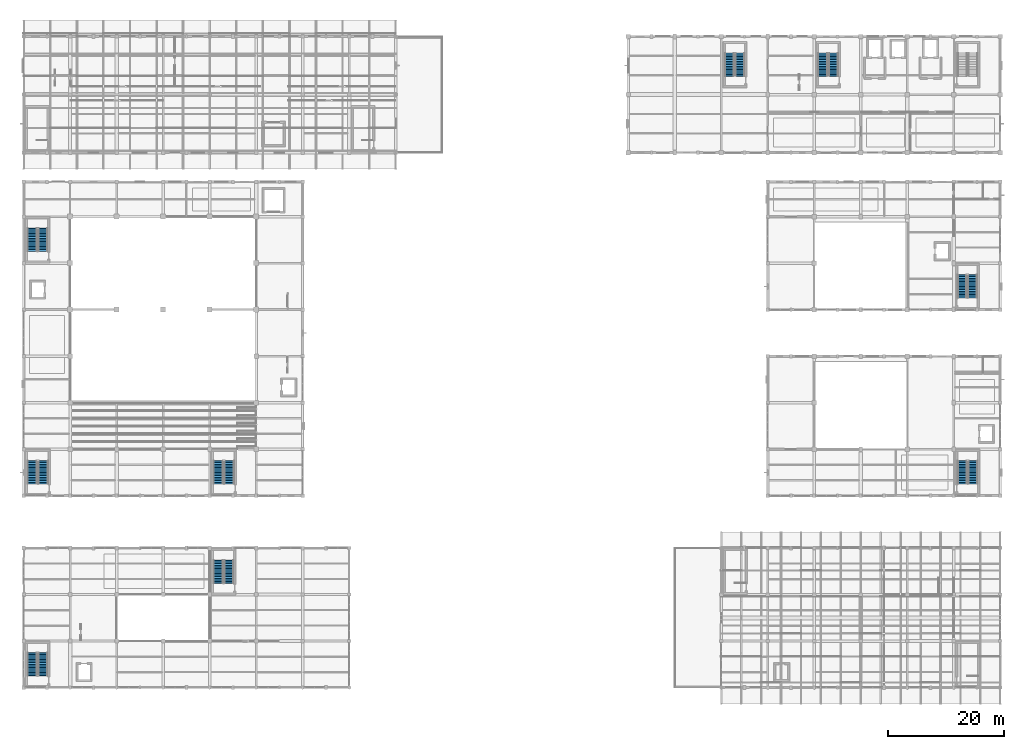
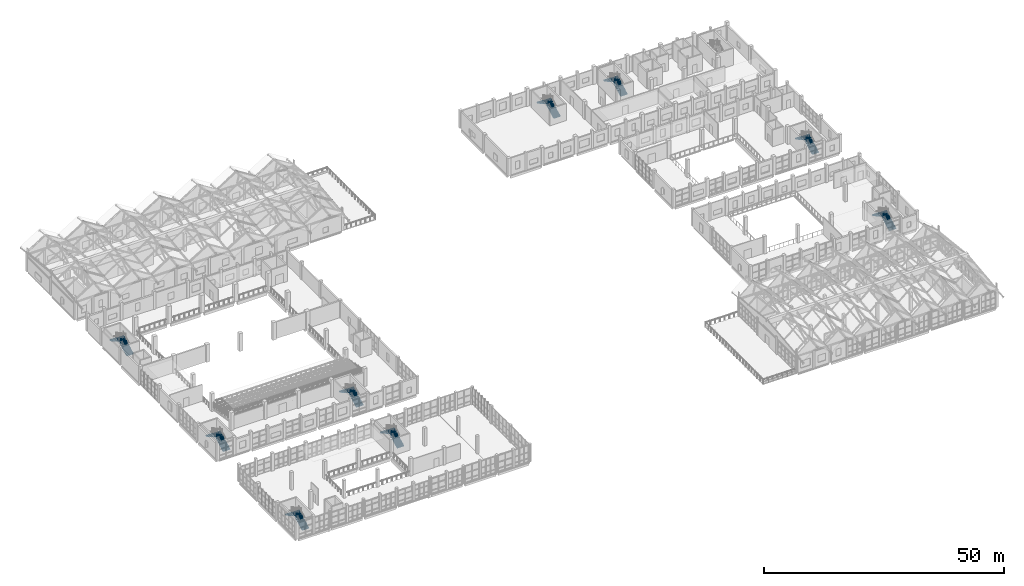
# One storey, part 154 of 183: 18 stair flights, 9 elements without a shape of their own.
"""IFC4 building model written with IfcOpenShell, lengths in metres."""

from ifc_helpers import new_model, si_unit, direction, frame, origin, place, context, subcontext, project, spatial, polyline, outline, extrude, material, type_object, element, aggregate, save


model = new_model("IFC4")

# Units and contexts
model_context = context("Model", 3, precision=1e-05, world=origin(), true_north=direction((0.0, 1.0)))
body_context = subcontext(model_context, "Body", "Model", "MODEL_VIEW")
ifc_project = project(units=[si_unit("LENGTHUNIT", "METRE"), si_unit("AREAUNIT", "SQUARE_METRE"), si_unit("VOLUMEUNIT", "CUBIC_METRE"), si_unit("PLANEANGLEUNIT", "RADIAN"), si_unit("MASSUNIT", "GRAM", prefix="KILO")], contexts=[model_context])

# Site, building, storey
site_placement = place(None, origin())
site = spatial("IfcSite", under=ifc_project, at=site_placement, CompositionType="ELEMENT")
building_placement = place(site_placement, origin())
building = spatial("IfcBuilding", under=site, at=building_placement, Name="Luwemba Playhouse", CompositionType="ELEMENT")
storey_placement = place(building_placement, frame((0.0, 0.0, 4.800048828125)))
storey = spatial("IfcBuildingStorey", under=building, at=storey_placement, Name="L01", CompositionType="ELEMENT", Elevation=4.800048828125)

# Stair, stair flights
ifc_material = material(Name="Concrete C40/50", Category="concrete")
stair_type_1 = type_object("IfcStairType", Name="STR-DL-02", PredefinedType="HALF_TURN_STAIR", material=ifc_material)
stair_1_placement = place(storey_placement, origin())
stair_1 = element("IfcStair", 1, at=stair_1_placement, inside=storey, type_object=stair_type_1, Name="L01 Main Auditorium South-West Escape Stair", PredefinedType="HALF_TURN_STAIR")
stair_flight_type_1 = type_object("IfcStairFlightType", Name="SFL-DL-02", PredefinedType="STRAIGHT", material=ifc_material)
stair_flight_1_placement = place(storey_placement, frame((7.39990234375, 38.0400390625, 0.0), z_axis=(0.0, 0.0, 1.0), x_axis=(0.0, 1.0, 0.0)))
stair_flight_1 = element("IfcStairFlight", 2, at=stair_flight_1_placement, type_object=stair_flight_type_1, Name="ST-01 flight 1", NumberOfRisers=15, NumberOfTreads=14, PredefinedType="STRAIGHT", RiserHeight=0.15, TreadLength=0.28, context=body_context, shape_type="SweptSolid", body=[
    extrude(outline(polyline([(-0.06005859375, -0.10009765625), (-0.06005859375, 0.0), (0.0, 0.0), (0.0, 0.14990234375), (0.280029296875, 0.14990234375), (0.280029296875, 0.300048828125), (0.56005859375, 0.300048828125), (0.56005859375, 0.449951171875), (0.840087890625, 0.449951171875), (0.840087890625, 0.60009765625), (1.1201171875, 0.60009765625), (1.1201171875, 0.75), (1.39990234375, 0.75), (1.39990234375, 0.89990234375), (1.679931640625, 0.89990234375), (1.679931640625, 1.050048828125), (1.9599609375, 1.050048828125), (1.9599609375, 1.199951171875), (2.239990234375, 1.199951171875), (2.239990234375, 1.35009765625), (2.52001953125, 1.35009765625), (2.52001953125, 1.5), (2.800048828125, 1.5), (2.800048828125, 1.64990234375), (3.080078125, 1.64990234375), (3.080078125, 1.800048828125), (3.360107421875, 1.800048828125), (3.360107421875, 1.949951171875), (3.639892578125, 1.949951171875), (3.639892578125, 2.10009765625), (3.919921875, 2.10009765625), (3.919921875, 2.25), (3.97998046875, 2.25), (3.97998046875, 2.090087890625), (3.919921875, 1.929931640625), (0.3173828125, -0.10009765625), (-0.06005859375, -0.10009765625)])), frame((0.0, 0.85009765625, 0.0), z_axis=(0.0, -1.0, 0.0), x_axis=(1.0, 0.0, 0.0)), (0.0, 0.0, 1.0), 1.699951171875),
])
stair_flight_2_placement = place(storey_placement, frame((5.5, 41.9599609375, 2.25), z_axis=(0.0, 0.0, 1.0), x_axis=(0.0, -1.0, 0.0)))
stair_flight_2 = element("IfcStairFlight", 3, at=stair_flight_2_placement, type_object=stair_flight_type_1, Name="ST-01 flight 2", NumberOfRisers=15, NumberOfTreads=14, PredefinedType="STRAIGHT", RiserHeight=0.15, TreadLength=0.28, context=body_context, shape_type="SweptSolid", body=[
    extrude(outline(polyline([(-0.06005859375, -0.10009765625), (-0.06005859375, 0.0), (0.0, 0.0), (0.0, 0.14990234375), (0.280029296875, 0.14990234375), (0.280029296875, 0.300048828125), (0.56005859375, 0.300048828125), (0.56005859375, 0.449951171875), (0.840087890625, 0.449951171875), (0.840087890625, 0.60009765625), (1.1201171875, 0.60009765625), (1.1201171875, 0.75), (1.39990234375, 0.75), (1.39990234375, 0.89990234375), (1.679931640625, 0.89990234375), (1.679931640625, 1.050048828125), (1.9599609375, 1.050048828125), (1.9599609375, 1.199951171875), (2.239990234375, 1.199951171875), (2.239990234375, 1.35009765625), (2.52001953125, 1.35009765625), (2.52001953125, 1.5), (2.800048828125, 1.5), (2.800048828125, 1.64990234375), (3.080078125, 1.64990234375), (3.080078125, 1.800048828125), (3.360107421875, 1.800048828125), (3.360107421875, 1.949951171875), (3.639892578125, 1.949951171875), (3.639892578125, 2.10009765625), (3.919921875, 2.10009765625), (3.919921875, 2.25), (3.97998046875, 2.25), (3.97998046875, 2.090087890625), (3.919921875, 1.929931640625), (0.3173828125, -0.10009765625), (-0.06005859375, -0.10009765625)])), frame((0.0, 0.85009765625, 0.0), z_axis=(0.0, -1.0, 0.0), x_axis=(1.0, 0.0, 0.0)), (0.0, 0.0, 1.0), 1.699951171875),
])
aggregate(stair_1, [stair_flight_1, stair_flight_2])

stair_2_placement = place(storey_placement, origin())
stair_2 = element("IfcStair", 4, at=stair_2_placement, inside=storey, type_object=stair_type_1, Name="L01 Main Auditorium South-East Escape Stair", PredefinedType="HALF_TURN_STAIR")
stair_flight_3_placement = place(storey_placement, frame((39.39990234375, 38.0400390625, 0.0), z_axis=(0.0, 0.0, 1.0), x_axis=(0.0, 1.0, 0.0)))
stair_flight_3 = element("IfcStairFlight", 5, at=stair_flight_3_placement, type_object=stair_flight_type_1, Name="ST-02 flight 1", NumberOfRisers=15, NumberOfTreads=14, PredefinedType="STRAIGHT", RiserHeight=0.15, TreadLength=0.28, context=body_context, shape_type="SweptSolid", body=[
    extrude(outline(polyline([(-0.06005859375, -0.10009765625), (-0.06005859375, 0.0), (0.0, 0.0), (0.0, 0.14990234375), (0.280029296875, 0.14990234375), (0.280029296875, 0.300048828125), (0.56005859375, 0.300048828125), (0.56005859375, 0.449951171875), (0.840087890625, 0.449951171875), (0.840087890625, 0.60009765625), (1.1201171875, 0.60009765625), (1.1201171875, 0.75), (1.39990234375, 0.75), (1.39990234375, 0.89990234375), (1.679931640625, 0.89990234375), (1.679931640625, 1.050048828125), (1.9599609375, 1.050048828125), (1.9599609375, 1.199951171875), (2.239990234375, 1.199951171875), (2.239990234375, 1.35009765625), (2.52001953125, 1.35009765625), (2.52001953125, 1.5), (2.800048828125, 1.5), (2.800048828125, 1.64990234375), (3.080078125, 1.64990234375), (3.080078125, 1.800048828125), (3.360107421875, 1.800048828125), (3.360107421875, 1.949951171875), (3.639892578125, 1.949951171875), (3.639892578125, 2.10009765625), (3.919921875, 2.10009765625), (3.919921875, 2.25), (3.97998046875, 2.25), (3.97998046875, 2.090087890625), (3.919921875, 1.929931640625), (0.3173828125, -0.10009765625), (-0.06005859375, -0.10009765625)])), frame((0.0, 0.85009765625, 0.0), z_axis=(0.0, -1.0, 0.0), x_axis=(1.0, 0.0, 0.0)), (0.0, 0.0, 1.0), 1.699951171875),
])
stair_flight_4_placement = place(storey_placement, frame((37.5, 41.9599609375, 2.25), z_axis=(0.0, 0.0, 1.0), x_axis=(0.0, -1.0, 0.0)))
stair_flight_4 = element("IfcStairFlight", 6, at=stair_flight_4_placement, type_object=stair_flight_type_1, Name="ST-02 flight 2", NumberOfRisers=15, NumberOfTreads=14, PredefinedType="STRAIGHT", RiserHeight=0.15, TreadLength=0.28, context=body_context, shape_type="SweptSolid", body=[
    extrude(outline(polyline([(-0.06005859375, -0.10009765625), (-0.06005859375, 0.0), (0.0, 0.0), (0.0, 0.14990234375), (0.280029296875, 0.14990234375), (0.280029296875, 0.300048828125), (0.56005859375, 0.300048828125), (0.56005859375, 0.449951171875), (0.840087890625, 0.449951171875), (0.840087890625, 0.60009765625), (1.1201171875, 0.60009765625), (1.1201171875, 0.75), (1.39990234375, 0.75), (1.39990234375, 0.89990234375), (1.679931640625, 0.89990234375), (1.679931640625, 1.050048828125), (1.9599609375, 1.050048828125), (1.9599609375, 1.199951171875), (2.239990234375, 1.199951171875), (2.239990234375, 1.35009765625), (2.52001953125, 1.35009765625), (2.52001953125, 1.5), (2.800048828125, 1.5), (2.800048828125, 1.64990234375), (3.080078125, 1.64990234375), (3.080078125, 1.800048828125), (3.360107421875, 1.800048828125), (3.360107421875, 1.949951171875), (3.639892578125, 1.949951171875), (3.639892578125, 2.10009765625), (3.919921875, 2.10009765625), (3.919921875, 2.25), (3.97998046875, 2.25), (3.97998046875, 2.090087890625), (3.919921875, 1.929931640625), (0.3173828125, -0.10009765625), (-0.06005859375, -0.10009765625)])), frame((0.0, 0.85009765625, 0.0), z_axis=(0.0, -1.0, 0.0), x_axis=(1.0, 0.0, 0.0)), (0.0, 0.0, 1.0), 1.699951171875),
])
aggregate(stair_2, [stair_flight_3, stair_flight_4])

stair_type_2 = type_object("IfcStairType", Name="STR-DL-04", PredefinedType="HALF_TURN_STAIR", material=ifc_material)
stair_3_placement = place(storey_placement, origin())
stair_3 = element("IfcStair", 7, at=stair_3_placement, inside=storey, type_object=stair_type_2, Name="L01 Stage House West Escape Stair", PredefinedType="HALF_TURN_STAIR")
stair_flight_type_2 = type_object("IfcStairFlightType", Name="SFL-DL-04", PredefinedType="STRAIGHT", material=ifc_material)
stair_flight_5_placement = place(storey_placement, frame((7.324951171875, 78.0400390625, 0.0), z_axis=(0.0, 0.0, 1.0), x_axis=(0.0, 1.0, 0.0)))
stair_flight_5 = element("IfcStairFlight", 8, at=stair_flight_5_placement, type_object=stair_flight_type_2, Name="ST-03 flight 1", NumberOfRisers=15, NumberOfTreads=14, PredefinedType="STRAIGHT", RiserHeight=0.15, TreadLength=0.28, context=body_context, shape_type="SweptSolid", body=[
    extrude(outline(polyline([(-0.06005859375, -0.10009765625), (-0.06005859375, 0.0), (0.0, 0.0), (0.0, 0.14990234375), (0.280029296875, 0.14990234375), (0.280029296875, 0.300048828125), (0.56005859375, 0.300048828125), (0.56005859375, 0.449951171875), (0.840087890625, 0.449951171875), (0.840087890625, 0.60009765625), (1.1201171875, 0.60009765625), (1.1201171875, 0.75), (1.39990234375, 0.75), (1.39990234375, 0.89990234375), (1.679931640625, 0.89990234375), (1.679931640625, 1.050048828125), (1.9599609375, 1.050048828125), (1.9599609375, 1.199951171875), (2.239990234375, 1.199951171875), (2.239990234375, 1.35009765625), (2.52001953125, 1.35009765625), (2.52001953125, 1.5), (2.800048828125, 1.5), (2.800048828125, 1.64990234375), (3.080078125, 1.64990234375), (3.080078125, 1.800048828125), (3.360107421875, 1.800048828125), (3.360107421875, 1.949951171875), (3.639892578125, 1.949951171875), (3.639892578125, 2.10009765625), (3.919921875, 2.10009765625), (3.919921875, 2.25), (3.97998046875, 2.25), (3.97998046875, 2.090087890625), (3.919921875, 1.929931640625), (0.3173828125, -0.10009765625), (-0.06005859375, -0.10009765625)])), frame((0.0, 0.824951171875, 0.0), z_axis=(0.0, -1.0, 0.0), x_axis=(1.0, 0.0, 0.0)), (0.0, 0.0, 1.0), 1.64990234375),
])
stair_flight_6_placement = place(storey_placement, frame((5.47509765625, 81.9599609375, 2.25), z_axis=(0.0, 0.0, 1.0), x_axis=(0.0, -1.0, 0.0)))
stair_flight_6 = element("IfcStairFlight", 9, at=stair_flight_6_placement, type_object=stair_flight_type_2, Name="ST-03 flight 2", NumberOfRisers=15, NumberOfTreads=14, PredefinedType="STRAIGHT", RiserHeight=0.15, TreadLength=0.28, context=body_context, shape_type="SweptSolid", body=[
    extrude(outline(polyline([(-0.06005859375, -0.10009765625), (-0.06005859375, 0.0), (0.0, 0.0), (0.0, 0.14990234375), (0.280029296875, 0.14990234375), (0.280029296875, 0.300048828125), (0.56005859375, 0.300048828125), (0.56005859375, 0.449951171875), (0.840087890625, 0.449951171875), (0.840087890625, 0.60009765625), (1.1201171875, 0.60009765625), (1.1201171875, 0.75), (1.39990234375, 0.75), (1.39990234375, 0.89990234375), (1.679931640625, 0.89990234375), (1.679931640625, 1.050048828125), (1.9599609375, 1.050048828125), (1.9599609375, 1.199951171875), (2.239990234375, 1.199951171875), (2.239990234375, 1.35009765625), (2.52001953125, 1.35009765625), (2.52001953125, 1.5), (2.800048828125, 1.5), (2.800048828125, 1.64990234375), (3.080078125, 1.64990234375), (3.080078125, 1.800048828125), (3.360107421875, 1.800048828125), (3.360107421875, 1.949951171875), (3.639892578125, 1.949951171875), (3.639892578125, 2.10009765625), (3.919921875, 2.10009765625), (3.919921875, 2.25), (3.97998046875, 2.25), (3.97998046875, 2.090087890625), (3.919921875, 1.929931640625), (0.3173828125, -0.10009765625), (-0.06005859375, -0.10009765625)])), frame((0.0, 0.824951171875, 0.0), z_axis=(0.0, -1.0, 0.0), x_axis=(1.0, 0.0, 0.0)), (0.0, 0.0, 1.0), 1.64990234375),
])
aggregate(stair_3, [stair_flight_5, stair_flight_6])

stair_4_placement = place(storey_placement, origin())
stair_4 = element("IfcStair", 10, at=stair_4_placement, inside=storey, type_object=stair_type_2, Name="L01 Grand Foyer South-West Escape Stair", PredefinedType="HALF_TURN_STAIR")
stair_flight_7_placement = place(storey_placement, frame((7.324951171875, 5.0400390625, 0.0), z_axis=(0.0, 0.0, 1.0), x_axis=(0.0, 1.0, 0.0)))
stair_flight_7 = element("IfcStairFlight", 11, at=stair_flight_7_placement, type_object=stair_flight_type_2, Name="ST-04 flight 1", NumberOfRisers=15, NumberOfTreads=14, PredefinedType="STRAIGHT", RiserHeight=0.15, TreadLength=0.28, context=body_context, shape_type="SweptSolid", body=[
    extrude(outline(polyline([(-0.06005859375, -0.10009765625), (-0.06005859375, 0.0), (0.0, 0.0), (0.0, 0.14990234375), (0.280029296875, 0.14990234375), (0.280029296875, 0.300048828125), (0.56005859375, 0.300048828125), (0.56005859375, 0.449951171875), (0.840087890625, 0.449951171875), (0.840087890625, 0.60009765625), (1.1201171875, 0.60009765625), (1.1201171875, 0.75), (1.39990234375, 0.75), (1.39990234375, 0.89990234375), (1.679931640625, 0.89990234375), (1.679931640625, 1.050048828125), (1.9599609375, 1.050048828125), (1.9599609375, 1.199951171875), (2.239990234375, 1.199951171875), (2.239990234375, 1.35009765625), (2.52001953125, 1.35009765625), (2.52001953125, 1.5), (2.800048828125, 1.5), (2.800048828125, 1.64990234375), (3.080078125, 1.64990234375), (3.080078125, 1.800048828125), (3.360107421875, 1.800048828125), (3.360107421875, 1.949951171875), (3.639892578125, 1.949951171875), (3.639892578125, 2.10009765625), (3.919921875, 2.10009765625), (3.919921875, 2.25), (3.97998046875, 2.25), (3.97998046875, 2.090087890625), (3.919921875, 1.929931640625), (0.3173828125, -0.10009765625), (-0.06005859375, -0.10009765625)])), frame((0.0, 0.824951171875, 0.0), z_axis=(0.0, -1.0, 0.0), x_axis=(1.0, 0.0, 0.0)), (0.0, 0.0, 1.0), 1.64990234375),
])
stair_flight_8_placement = place(storey_placement, frame((5.47509765625, 8.9599609375, 2.25), z_axis=(0.0, 0.0, 1.0), x_axis=(0.0, -1.0, 0.0)))
stair_flight_8 = element("IfcStairFlight", 12, at=stair_flight_8_placement, type_object=stair_flight_type_2, Name="ST-04 flight 2", NumberOfRisers=15, NumberOfTreads=14, PredefinedType="STRAIGHT", RiserHeight=0.15, TreadLength=0.28, context=body_context, shape_type="SweptSolid", body=[
    extrude(outline(polyline([(-0.06005859375, -0.10009765625), (-0.06005859375, 0.0), (0.0, 0.0), (0.0, 0.14990234375), (0.280029296875, 0.14990234375), (0.280029296875, 0.300048828125), (0.56005859375, 0.300048828125), (0.56005859375, 0.449951171875), (0.840087890625, 0.449951171875), (0.840087890625, 0.60009765625), (1.1201171875, 0.60009765625), (1.1201171875, 0.75), (1.39990234375, 0.75), (1.39990234375, 0.89990234375), (1.679931640625, 0.89990234375), (1.679931640625, 1.050048828125), (1.9599609375, 1.050048828125), (1.9599609375, 1.199951171875), (2.239990234375, 1.199951171875), (2.239990234375, 1.35009765625), (2.52001953125, 1.35009765625), (2.52001953125, 1.5), (2.800048828125, 1.5), (2.800048828125, 1.64990234375), (3.080078125, 1.64990234375), (3.080078125, 1.800048828125), (3.360107421875, 1.800048828125), (3.360107421875, 1.949951171875), (3.639892578125, 1.949951171875), (3.639892578125, 2.10009765625), (3.919921875, 2.10009765625), (3.919921875, 2.25), (3.97998046875, 2.25), (3.97998046875, 2.090087890625), (3.919921875, 1.929931640625), (0.3173828125, -0.10009765625), (-0.06005859375, -0.10009765625)])), frame((0.0, 0.824951171875, 0.0), z_axis=(0.0, -1.0, 0.0), x_axis=(1.0, 0.0, 0.0)), (0.0, 0.0, 1.0), 1.64990234375),
])
aggregate(stair_4, [stair_flight_7, stair_flight_8])

stair_5_placement = place(storey_placement, origin())
stair_5 = element("IfcStair", 13, at=stair_5_placement, inside=storey, type_object=stair_type_2, Name="L01 Studio Theatre South-East Escape Stair", PredefinedType="HALF_TURN_STAIR")
stair_flight_9_placement = place(storey_placement, frame((167.324951171875, 38.0400390625, 0.0), z_axis=(0.0, 0.0, 1.0), x_axis=(0.0, 1.0, 0.0)))
stair_flight_9 = element("IfcStairFlight", 14, at=stair_flight_9_placement, type_object=stair_flight_type_2, Name="ST-06 flight 1", NumberOfRisers=15, NumberOfTreads=14, PredefinedType="STRAIGHT", RiserHeight=0.15, TreadLength=0.28, context=body_context, shape_type="SweptSolid", body=[
    extrude(outline(polyline([(-0.06005859375, -0.10009765625), (-0.06005859375, 0.0), (0.0, 0.0), (0.0, 0.14990234375), (0.280029296875, 0.14990234375), (0.280029296875, 0.300048828125), (0.56005859375, 0.300048828125), (0.56005859375, 0.449951171875), (0.840087890625, 0.449951171875), (0.840087890625, 0.60009765625), (1.1201171875, 0.60009765625), (1.1201171875, 0.75), (1.39990234375, 0.75), (1.39990234375, 0.89990234375), (1.679931640625, 0.89990234375), (1.679931640625, 1.050048828125), (1.9599609375, 1.050048828125), (1.9599609375, 1.199951171875), (2.239990234375, 1.199951171875), (2.239990234375, 1.35009765625), (2.52001953125, 1.35009765625), (2.52001953125, 1.5), (2.800048828125, 1.5), (2.800048828125, 1.64990234375), (3.080078125, 1.64990234375), (3.080078125, 1.800048828125), (3.360107421875, 1.800048828125), (3.360107421875, 1.949951171875), (3.639892578125, 1.949951171875), (3.639892578125, 2.10009765625), (3.919921875, 2.10009765625), (3.919921875, 2.25), (3.97998046875, 2.25), (3.97998046875, 2.090087890625), (3.919921875, 1.929931640625), (0.3173828125, -0.10009765625), (-0.06005859375, -0.10009765625)])), frame((0.0, 0.824951171875, 0.0), z_axis=(0.0, -1.0, 0.0), x_axis=(1.0, 0.0, 0.0)), (0.0, 0.0, 1.0), 1.64990234375),
])
stair_flight_10_placement = place(storey_placement, frame((165.47509765625, 41.9599609375, 2.25), z_axis=(0.0, 0.0, 1.0), x_axis=(0.0, -1.0, 0.0)))
stair_flight_10 = element("IfcStairFlight", 15, at=stair_flight_10_placement, type_object=stair_flight_type_2, Name="ST-06 flight 2", NumberOfRisers=15, NumberOfTreads=14, PredefinedType="STRAIGHT", RiserHeight=0.15, TreadLength=0.28, context=body_context, shape_type="SweptSolid", body=[
    extrude(outline(polyline([(-0.06005859375, -0.10009765625), (-0.06005859375, 0.0), (0.0, 0.0), (0.0, 0.14990234375), (0.280029296875, 0.14990234375), (0.280029296875, 0.300048828125), (0.56005859375, 0.300048828125), (0.56005859375, 0.449951171875), (0.840087890625, 0.449951171875), (0.840087890625, 0.60009765625), (1.1201171875, 0.60009765625), (1.1201171875, 0.75), (1.39990234375, 0.75), (1.39990234375, 0.89990234375), (1.679931640625, 0.89990234375), (1.679931640625, 1.050048828125), (1.9599609375, 1.050048828125), (1.9599609375, 1.199951171875), (2.239990234375, 1.199951171875), (2.239990234375, 1.35009765625), (2.52001953125, 1.35009765625), (2.52001953125, 1.5), (2.800048828125, 1.5), (2.800048828125, 1.64990234375), (3.080078125, 1.64990234375), (3.080078125, 1.800048828125), (3.360107421875, 1.800048828125), (3.360107421875, 1.949951171875), (3.639892578125, 1.949951171875), (3.639892578125, 2.10009765625), (3.919921875, 2.10009765625), (3.919921875, 2.25), (3.97998046875, 2.25), (3.97998046875, 2.090087890625), (3.919921875, 1.929931640625), (0.3173828125, -0.10009765625), (-0.06005859375, -0.10009765625)])), frame((0.0, 0.824951171875, 0.0), z_axis=(0.0, -1.0, 0.0), x_axis=(1.0, 0.0, 0.0)), (0.0, 0.0, 1.0), 1.64990234375),
])
aggregate(stair_5, [stair_flight_9, stair_flight_10])

stair_6_placement = place(storey_placement, origin())
stair_6 = element("IfcStair", 16, at=stair_6_placement, inside=storey, type_object=stair_type_2, Name="L01 Conservatory Firefighting Escape Stair", PredefinedType="HALF_TURN_STAIR")
stair_flight_11_placement = place(storey_placement, frame((143.324951171875, 108.199951171875, 0.0), z_axis=(0.0, 0.0, 1.0), x_axis=(0.0, 1.0, 0.0)))
stair_flight_11 = element("IfcStairFlight", 17, at=stair_flight_11_placement, type_object=stair_flight_type_2, Name="ST-09 flight 1", NumberOfRisers=15, NumberOfTreads=14, PredefinedType="STRAIGHT", RiserHeight=0.15, TreadLength=0.28, context=body_context, shape_type="SweptSolid", body=[
    extrude(outline(polyline([(-0.06005859375, -0.10009765625), (-0.06005859375, 0.0), (0.0, 0.0), (0.0, 0.14990234375), (0.280029296875, 0.14990234375), (0.280029296875, 0.300048828125), (0.56005859375, 0.300048828125), (0.56005859375, 0.449951171875), (0.840087890625, 0.449951171875), (0.840087890625, 0.60009765625), (1.1201171875, 0.60009765625), (1.1201171875, 0.75), (1.39990234375, 0.75), (1.39990234375, 0.89990234375), (1.679931640625, 0.89990234375), (1.679931640625, 1.050048828125), (1.9599609375, 1.050048828125), (1.9599609375, 1.199951171875), (2.239990234375, 1.199951171875), (2.239990234375, 1.35009765625), (2.52001953125, 1.35009765625), (2.52001953125, 1.5), (2.800048828125, 1.5), (2.800048828125, 1.64990234375), (3.080078125, 1.64990234375), (3.080078125, 1.800048828125), (3.360107421875, 1.800048828125), (3.360107421875, 1.949951171875), (3.639892578125, 1.949951171875), (3.639892578125, 2.10009765625), (3.919921875, 2.10009765625), (3.919921875, 2.25), (3.97998046875, 2.25), (3.97998046875, 2.090087890625), (3.919921875, 1.929931640625), (0.3173828125, -0.10009765625), (-0.06005859375, -0.10009765625)])), frame((0.0, 0.824951171875, 0.0), z_axis=(0.0, -1.0, 0.0), x_axis=(1.0, 0.0, 0.0)), (0.0, 0.0, 1.0), 1.64990234375),
])
stair_flight_12_placement = place(storey_placement, frame((141.47509765625, 112.1201171875, 2.25), z_axis=(0.0, 0.0, 1.0), x_axis=(0.0, -1.0, 0.0)))
stair_flight_12 = element("IfcStairFlight", 18, at=stair_flight_12_placement, type_object=stair_flight_type_2, Name="ST-09 flight 2", NumberOfRisers=15, NumberOfTreads=14, PredefinedType="STRAIGHT", RiserHeight=0.15, TreadLength=0.28, context=body_context, shape_type="SweptSolid", body=[
    extrude(outline(polyline([(-0.06005859375, -0.10009765625), (-0.06005859375, 0.0), (0.0, 0.0), (0.0, 0.14990234375), (0.280029296875, 0.14990234375), (0.280029296875, 0.300048828125), (0.56005859375, 0.300048828125), (0.56005859375, 0.449951171875), (0.840087890625, 0.449951171875), (0.840087890625, 0.60009765625), (1.1201171875, 0.60009765625), (1.1201171875, 0.75), (1.39990234375, 0.75), (1.39990234375, 0.89990234375), (1.679931640625, 0.89990234375), (1.679931640625, 1.050048828125), (1.9599609375, 1.050048828125), (1.9599609375, 1.199951171875), (2.239990234375, 1.199951171875), (2.239990234375, 1.35009765625), (2.52001953125, 1.35009765625), (2.52001953125, 1.5), (2.800048828125, 1.5), (2.800048828125, 1.64990234375), (3.080078125, 1.64990234375), (3.080078125, 1.800048828125), (3.360107421875, 1.800048828125), (3.360107421875, 1.949951171875), (3.639892578125, 1.949951171875), (3.639892578125, 2.10009765625), (3.919921875, 2.10009765625), (3.919921875, 2.25), (3.97998046875, 2.25), (3.97998046875, 2.090087890625), (3.919921875, 1.929931640625), (0.3173828125, -0.10009765625), (-0.06005859375, -0.10009765625)])), frame((0.0, 0.824951171875, 0.0), z_axis=(0.0, -1.0, 0.0), x_axis=(1.0, 0.0, 0.0)), (0.0, 0.0, 1.0), 1.64990234375),
])
aggregate(stair_6, [stair_flight_11, stair_flight_12])

stair_7_placement = place(storey_placement, origin())
stair_7 = element("IfcStair", 19, at=stair_7_placement, inside=storey, type_object=stair_type_2, Name="L01 Grand Foyer North-East Escape Stair", PredefinedType="HALF_TURN_STAIR")
stair_flight_13_placement = place(storey_placement, frame((39.324951171875, 20.9599609375, 0.0), z_axis=(0.0, 0.0, 1.0), x_axis=(0.0, 1.0, 0.0)))
stair_flight_13 = element("IfcStairFlight", 20, at=stair_flight_13_placement, type_object=stair_flight_type_2, Name="ST-13 flight 1", NumberOfRisers=15, NumberOfTreads=14, PredefinedType="STRAIGHT", RiserHeight=0.15, TreadLength=0.28, context=body_context, shape_type="SweptSolid", body=[
    extrude(outline(polyline([(-0.06005859375, -0.10009765625), (-0.06005859375, 0.0), (0.0, 0.0), (0.0, 0.14990234375), (0.280029296875, 0.14990234375), (0.280029296875, 0.300048828125), (0.56005859375, 0.300048828125), (0.56005859375, 0.449951171875), (0.840087890625, 0.449951171875), (0.840087890625, 0.60009765625), (1.1201171875, 0.60009765625), (1.1201171875, 0.75), (1.39990234375, 0.75), (1.39990234375, 0.89990234375), (1.679931640625, 0.89990234375), (1.679931640625, 1.050048828125), (1.9599609375, 1.050048828125), (1.9599609375, 1.199951171875), (2.239990234375, 1.199951171875), (2.239990234375, 1.35009765625), (2.52001953125, 1.35009765625), (2.52001953125, 1.5), (2.800048828125, 1.5), (2.800048828125, 1.64990234375), (3.080078125, 1.64990234375), (3.080078125, 1.800048828125), (3.360107421875, 1.800048828125), (3.360107421875, 1.949951171875), (3.639892578125, 1.949951171875), (3.639892578125, 2.10009765625), (3.919921875, 2.10009765625), (3.919921875, 2.25), (3.97998046875, 2.25), (3.97998046875, 2.090087890625), (3.919921875, 1.929931640625), (0.3173828125, -0.10009765625), (-0.06005859375, -0.10009765625)])), frame((0.0, 0.824951171875, 0.0), z_axis=(0.0, -1.0, 0.0), x_axis=(1.0, 0.0, 0.0)), (0.0, 0.0, 1.0), 1.64990234375),
])
stair_flight_14_placement = place(storey_placement, frame((37.47509765625, 24.8798828125, 2.25), z_axis=(0.0, 0.0, 1.0), x_axis=(0.0, -1.0, 0.0)))
stair_flight_14 = element("IfcStairFlight", 21, at=stair_flight_14_placement, type_object=stair_flight_type_2, Name="ST-13 flight 2", NumberOfRisers=15, NumberOfTreads=14, PredefinedType="STRAIGHT", RiserHeight=0.15, TreadLength=0.28, context=body_context, shape_type="SweptSolid", body=[
    extrude(outline(polyline([(-0.06005859375, -0.10009765625), (-0.06005859375, 0.0), (0.0, 0.0), (0.0, 0.14990234375), (0.280029296875, 0.14990234375), (0.280029296875, 0.300048828125), (0.56005859375, 0.300048828125), (0.56005859375, 0.449951171875), (0.840087890625, 0.449951171875), (0.840087890625, 0.60009765625), (1.1201171875, 0.60009765625), (1.1201171875, 0.75), (1.39990234375, 0.75), (1.39990234375, 0.89990234375), (1.679931640625, 0.89990234375), (1.679931640625, 1.050048828125), (1.9599609375, 1.050048828125), (1.9599609375, 1.199951171875), (2.239990234375, 1.199951171875), (2.239990234375, 1.35009765625), (2.52001953125, 1.35009765625), (2.52001953125, 1.5), (2.800048828125, 1.5), (2.800048828125, 1.64990234375), (3.080078125, 1.64990234375), (3.080078125, 1.800048828125), (3.360107421875, 1.800048828125), (3.360107421875, 1.949951171875), (3.639892578125, 1.949951171875), (3.639892578125, 2.10009765625), (3.919921875, 2.10009765625), (3.919921875, 2.25), (3.97998046875, 2.25), (3.97998046875, 2.090087890625), (3.919921875, 1.929931640625), (0.3173828125, -0.10009765625), (-0.06005859375, -0.10009765625)])), frame((0.0, 0.824951171875, 0.0), z_axis=(0.0, -1.0, 0.0), x_axis=(1.0, 0.0, 0.0)), (0.0, 0.0, 1.0), 1.64990234375),
])
aggregate(stair_7, [stair_flight_13, stair_flight_14])

stair_type_3 = type_object("IfcStairType", Name="STR-DL-06", PredefinedType="HALF_TURN_STAIR", material=ifc_material)
stair_8_placement = place(storey_placement, origin())
stair_8 = element("IfcStair", 22, at=stair_8_placement, inside=storey, type_object=stair_type_3, Name="L01 Black-Box Firefighting Escape Stair", PredefinedType="HALF_TURN_STAIR")
stair_flight_type_3 = type_object("IfcStairFlightType", Name="SFL-DL-06", PredefinedType="STRAIGHT", material=ifc_material)
stair_flight_15_placement = place(storey_placement, frame((167.25, 70.0400390625, 0.0), z_axis=(0.0, 0.0, 1.0), x_axis=(0.0, 1.0, 0.0)))
stair_flight_15 = element("IfcStairFlight", 23, at=stair_flight_15_placement, type_object=stair_flight_type_3, Name="ST-07 flight 1", NumberOfRisers=15, NumberOfTreads=14, PredefinedType="STRAIGHT", RiserHeight=0.15, TreadLength=0.28, context=body_context, shape_type="SweptSolid", body=[
    extrude(outline(polyline([(-0.06005859375, -0.10009765625), (-0.06005859375, 0.0), (0.0, 0.0), (0.0, 0.14990234375), (0.280029296875, 0.14990234375), (0.280029296875, 0.300048828125), (0.56005859375, 0.300048828125), (0.56005859375, 0.449951171875), (0.840087890625, 0.449951171875), (0.840087890625, 0.60009765625), (1.1201171875, 0.60009765625), (1.1201171875, 0.75), (1.39990234375, 0.75), (1.39990234375, 0.89990234375), (1.679931640625, 0.89990234375), (1.679931640625, 1.050048828125), (1.9599609375, 1.050048828125), (1.9599609375, 1.199951171875), (2.239990234375, 1.199951171875), (2.239990234375, 1.35009765625), (2.52001953125, 1.35009765625), (2.52001953125, 1.5), (2.800048828125, 1.5), (2.800048828125, 1.64990234375), (3.080078125, 1.64990234375), (3.080078125, 1.800048828125), (3.360107421875, 1.800048828125), (3.360107421875, 1.949951171875), (3.639892578125, 1.949951171875), (3.639892578125, 2.10009765625), (3.919921875, 2.10009765625), (3.919921875, 2.25), (3.97998046875, 2.25), (3.97998046875, 2.090087890625), (3.919921875, 1.929931640625), (0.3173828125, -0.10009765625), (-0.06005859375, -0.10009765625)])), frame((0.0, 0.800048828125, 0.0), z_axis=(0.0, -1.0, 0.0), x_axis=(1.0, 0.0, 0.0)), (0.0, 0.0, 1.0), 1.60009765625),
])
stair_flight_16_placement = place(storey_placement, frame((165.449951171875, 73.9599609375, 2.25), z_axis=(0.0, 0.0, 1.0), x_axis=(0.0, -1.0, 0.0)))
stair_flight_16 = element("IfcStairFlight", 24, at=stair_flight_16_placement, type_object=stair_flight_type_3, Name="ST-07 flight 2", NumberOfRisers=15, NumberOfTreads=14, PredefinedType="STRAIGHT", RiserHeight=0.15, TreadLength=0.28, context=body_context, shape_type="SweptSolid", body=[
    extrude(outline(polyline([(-0.06005859375, -0.10009765625), (-0.06005859375, 0.0), (0.0, 0.0), (0.0, 0.14990234375), (0.280029296875, 0.14990234375), (0.280029296875, 0.300048828125), (0.56005859375, 0.300048828125), (0.56005859375, 0.449951171875), (0.840087890625, 0.449951171875), (0.840087890625, 0.60009765625), (1.1201171875, 0.60009765625), (1.1201171875, 0.75), (1.39990234375, 0.75), (1.39990234375, 0.89990234375), (1.679931640625, 0.89990234375), (1.679931640625, 1.050048828125), (1.9599609375, 1.050048828125), (1.9599609375, 1.199951171875), (2.239990234375, 1.199951171875), (2.239990234375, 1.35009765625), (2.52001953125, 1.35009765625), (2.52001953125, 1.5), (2.800048828125, 1.5), (2.800048828125, 1.64990234375), (3.080078125, 1.64990234375), (3.080078125, 1.800048828125), (3.360107421875, 1.800048828125), (3.360107421875, 1.949951171875), (3.639892578125, 1.949951171875), (3.639892578125, 2.10009765625), (3.919921875, 2.10009765625), (3.919921875, 2.25), (3.97998046875, 2.25), (3.97998046875, 2.090087890625), (3.919921875, 1.929931640625), (0.3173828125, -0.10009765625), (-0.06005859375, -0.10009765625)])), frame((0.0, 0.800048828125, 0.0), z_axis=(0.0, -1.0, 0.0), x_axis=(1.0, 0.0, 0.0)), (0.0, 0.0, 1.0), 1.60009765625),
])
aggregate(stair_8, [stair_flight_15, stair_flight_16])

stair_9_placement = place(storey_placement, origin())
stair_9 = element("IfcStair", 25, at=stair_9_placement, inside=storey, type_object=stair_type_3, Name="L01 Conservatory West Escape Stair", PredefinedType="HALF_TURN_STAIR")
stair_flight_17_placement = place(storey_placement, frame((127.25, 108.199951171875, 0.0), z_axis=(0.0, 0.0, 1.0), x_axis=(0.0, 1.0, 0.0)))
stair_flight_17 = element("IfcStairFlight", 26, at=stair_flight_17_placement, type_object=stair_flight_type_3, Name="ST-16 flight 1", NumberOfRisers=15, NumberOfTreads=14, PredefinedType="STRAIGHT", RiserHeight=0.15, TreadLength=0.28, context=body_context, shape_type="SweptSolid", body=[
    extrude(outline(polyline([(-0.06005859375, -0.10009765625), (-0.06005859375, 0.0), (0.0, 0.0), (0.0, 0.14990234375), (0.280029296875, 0.14990234375), (0.280029296875, 0.300048828125), (0.56005859375, 0.300048828125), (0.56005859375, 0.449951171875), (0.840087890625, 0.449951171875), (0.840087890625, 0.60009765625), (1.1201171875, 0.60009765625), (1.1201171875, 0.75), (1.39990234375, 0.75), (1.39990234375, 0.89990234375), (1.679931640625, 0.89990234375), (1.679931640625, 1.050048828125), (1.9599609375, 1.050048828125), (1.9599609375, 1.199951171875), (2.239990234375, 1.199951171875), (2.239990234375, 1.35009765625), (2.52001953125, 1.35009765625), (2.52001953125, 1.5), (2.800048828125, 1.5), (2.800048828125, 1.64990234375), (3.080078125, 1.64990234375), (3.080078125, 1.800048828125), (3.360107421875, 1.800048828125), (3.360107421875, 1.949951171875), (3.639892578125, 1.949951171875), (3.639892578125, 2.10009765625), (3.919921875, 2.10009765625), (3.919921875, 2.25), (3.97998046875, 2.25), (3.97998046875, 2.090087890625), (3.919921875, 1.929931640625), (0.3173828125, -0.10009765625), (-0.06005859375, -0.10009765625)])), frame((0.0, 0.800048828125, 0.0), z_axis=(0.0, -1.0, 0.0), x_axis=(1.0, 0.0, 0.0)), (0.0, 0.0, 1.0), 1.60009765625),
])
stair_flight_18_placement = place(storey_placement, frame((125.449951171875, 112.1201171875, 2.25), z_axis=(0.0, 0.0, 1.0), x_axis=(0.0, -1.0, 0.0)))
stair_flight_18 = element("IfcStairFlight", 27, at=stair_flight_18_placement, type_object=stair_flight_type_3, Name="ST-16 flight 2", NumberOfRisers=15, NumberOfTreads=14, PredefinedType="STRAIGHT", RiserHeight=0.15, TreadLength=0.28, context=body_context, shape_type="SweptSolid", body=[
    extrude(outline(polyline([(-0.06005859375, -0.10009765625), (-0.06005859375, 0.0), (0.0, 0.0), (0.0, 0.14990234375), (0.280029296875, 0.14990234375), (0.280029296875, 0.300048828125), (0.56005859375, 0.300048828125), (0.56005859375, 0.449951171875), (0.840087890625, 0.449951171875), (0.840087890625, 0.60009765625), (1.1201171875, 0.60009765625), (1.1201171875, 0.75), (1.39990234375, 0.75), (1.39990234375, 0.89990234375), (1.679931640625, 0.89990234375), (1.679931640625, 1.050048828125), (1.9599609375, 1.050048828125), (1.9599609375, 1.199951171875), (2.239990234375, 1.199951171875), (2.239990234375, 1.35009765625), (2.52001953125, 1.35009765625), (2.52001953125, 1.5), (2.800048828125, 1.5), (2.800048828125, 1.64990234375), (3.080078125, 1.64990234375), (3.080078125, 1.800048828125), (3.360107421875, 1.800048828125), (3.360107421875, 1.949951171875), (3.639892578125, 1.949951171875), (3.639892578125, 2.10009765625), (3.919921875, 2.10009765625), (3.919921875, 2.25), (3.97998046875, 2.25), (3.97998046875, 2.090087890625), (3.919921875, 1.929931640625), (0.3173828125, -0.10009765625), (-0.06005859375, -0.10009765625)])), frame((0.0, 0.800048828125, 0.0), z_axis=(0.0, -1.0, 0.0), x_axis=(1.0, 0.0, 0.0)), (0.0, 0.0, 1.0), 1.60009765625),
])
aggregate(stair_9, [stair_flight_17, stair_flight_18])

save(model, "model.ifc")
